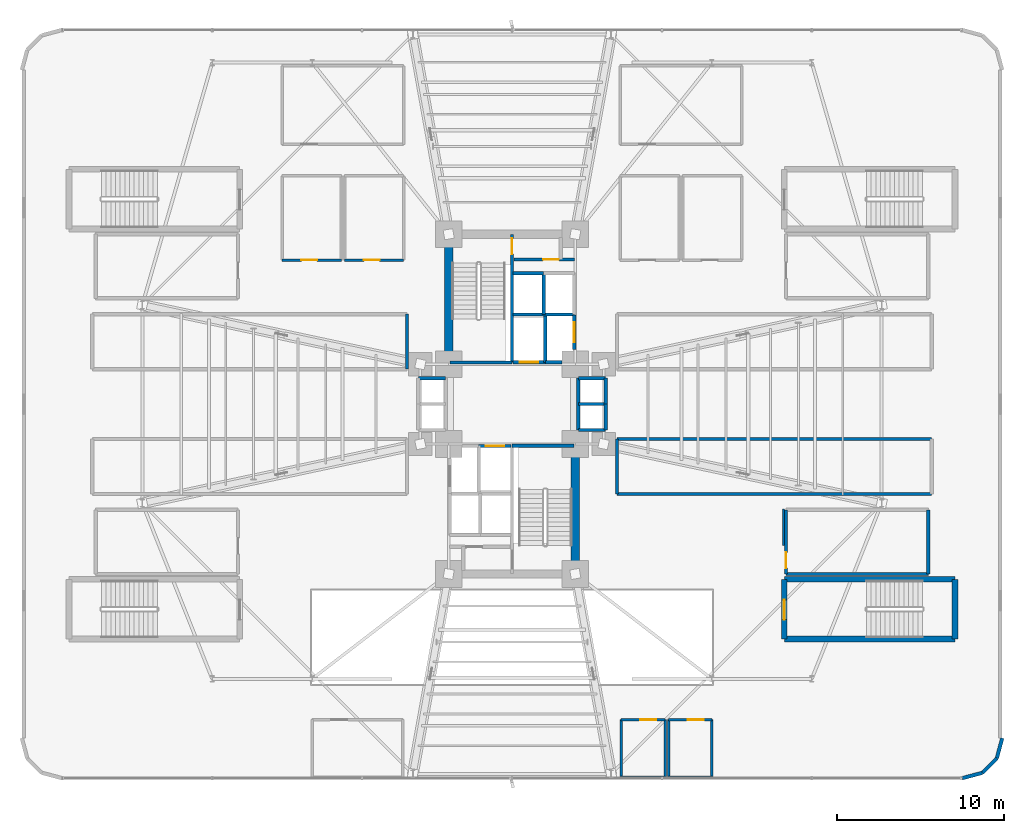
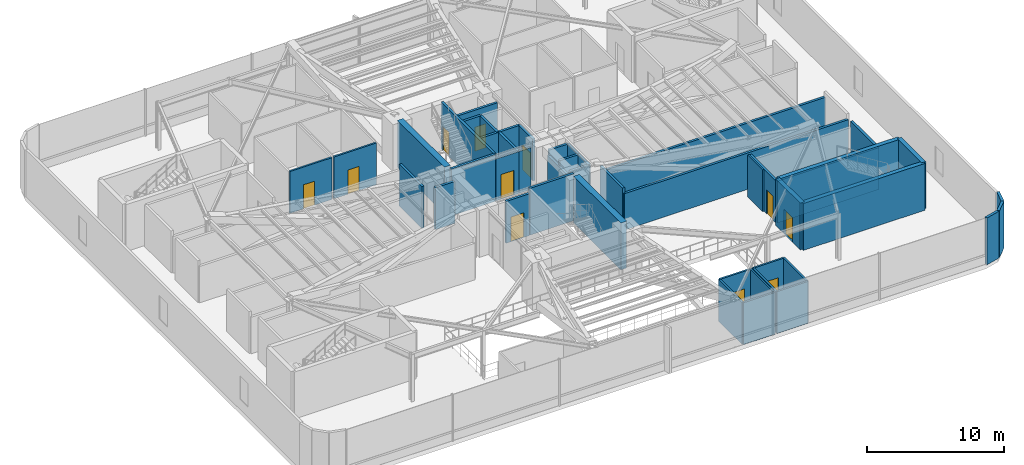
# One storey, part 25 of 32: 46 walls, 11 doors, 11 openings.
"""IFC4 building model written with IfcOpenShell, lengths in metres."""

from ifc_helpers import new_model, si_unit, direction, frame, frame_2d, origin, origin_2d, place, context, subcontext, project, spatial, rectangle, extrude, source, transform, mapped, material, layer, layer_set, type_object, element, fill, save


model = new_model("IFC4")

# Units and contexts
model_context = context("Model", 3, precision=1e-05, world=origin(), true_north=direction((0.0, 1.0)))
body_context = subcontext(model_context, "Body", "Model", "MODEL_VIEW")
ifc_project = project(units=[si_unit("LENGTHUNIT", "METRE"), si_unit("AREAUNIT", "SQUARE_METRE"), si_unit("VOLUMEUNIT", "CUBIC_METRE"), si_unit("PLANEANGLEUNIT", "RADIAN"), si_unit("MASSUNIT", "GRAM", prefix="KILO")], contexts=[model_context])

# Site, building, storey
site_placement = place(None, origin())
site = spatial("IfcSite", under=ifc_project, at=site_placement, CompositionType="ELEMENT")
building_placement = place(site_placement, origin())
building = spatial("IfcBuilding", under=site, at=building_placement, Name="Sahyath Konkavel Grand Hotel", CompositionType="ELEMENT")
storey_placement = place(building_placement, frame((0.0, 0.0, 14.10009765625)))
storey = spatial("IfcBuildingStorey", under=building, at=storey_placement, Name="L03", CompositionType="ELEMENT", Elevation=14.10009765625)

# Walls
ifc_material_1 = material(Name="Concrete C40/50", Category="concrete")
ifc_layer_1 = layer(ifc_material_1, 0.35009765625)
ifc_layer_set_1 = layer_set([ifc_layer_1], Name="Concrete C40/50")
wall_type_1 = type_object("IfcWallType", Name="CWALL-350", PredefinedType="SHEAR", material=ifc_layer_set_1)
for number, where, z_axis, x_axis, name in (
    (1, (16.35009765625, -10.52001953125, 0.0), (0.0, 0.0, 1.0), (1.0, 0.0, 0.0), "L03 Partition ST-P4-N"),
    (2, (16.35009765625, -14.10009765625, 0.0), (0.0, 0.0, 1.0), (1.0, 0.0, 0.0), "L03 Partition ST-P4-S"),
):
    element("IfcWall", number, at=place(storey_placement, frame(where, z_axis=z_axis, x_axis=x_axis)), inside=storey, type_object=wall_type_1, Name=name, PredefinedType="SHEAR", context=body_context, shape_type="SweptSolid", body=[
        extrude(rectangle(XDim=10.25, YDim=0.35009765625, at=frame_2d((5.125, 0.0))), origin(), (0.0, 0.0, 1.0), 4.179931640625),
    ])

# Wall, opening, door
wall_1_placement = place(storey_placement, frame((16.35009765625, -14.10009765625, 0.0), z_axis=(0.0, 0.0, 1.0), x_axis=(0.0, 1.0, 0.0)))
wall_1 = element("IfcWall", 3, at=wall_1_placement, inside=storey, type_object=wall_type_1, Name="L03 Partition ST-P4-W", PredefinedType="SHEAR", context=body_context, shape_type="SweptSolid", body=[
    extrude(rectangle(XDim=3.580078125, YDim=0.35009765625, at=frame_2d((1.7900390625, 0.0))), origin(), (0.0, 0.0, 1.0), 4.179931640625),
])
opening_1_placement = place(wall_1_placement, frame((1.14990234375, 0.0, 0.0)))
opening_1 = element("IfcOpeningElement", 4, at=opening_1_placement, cuts=wall_1, Name="Opening D-F12A", PredefinedType="OPENING", context=body_context, shape_type="SweptSolid", body=[
    extrude(rectangle(XDim=1.199951171875, YDim=2.199951171875, at=frame_2d((0.60009765625, 1.10009765625))), frame((0.0, 0.18505859375, 0.0), z_axis=(0.0, -1.0, 0.0), x_axis=(1.0, 0.0, 0.0)), (0.0, 0.0, 1.0), 0.3701171875),
])
ifc_material_2 = material(Name="Steel E350 Fire Door", Category="steel")
door_type_1 = type_object("IfcDoorType", Name="DR-FD120-1200", OperationType="NOTDEFINED", PredefinedType="DOOR", material=ifc_material_2)
shared_shape_1 = source(origin(), body_context, "Body", "SweptSolid", [
    extrude(rectangle(XDim=1.199951171875, YDim=0.050048828125, at=origin_2d()), origin(), (0.0, 0.0, 1.0), 2.199951171875),
])
door_1_placement = place(opening_1_placement, frame((0.60009765625, 0.0, 0.0)))
door_1 = element("IfcDoor", 5, at=door_1_placement, inside=storey, type_object=door_type_1, Name="L03 ST-P4 Fire Door", OperationType="SINGLE_SWING_RIGHT", OverallHeight=2.199951171875, OverallWidth=1.199951171875, PredefinedType="DOOR", context=body_context, shape_type="MappedRepresentation", body=[
    mapped(shared_shape_1, transform((0.0, 0.0, 0.0), scale=1.0)),
])
fill(opening_1, door_1)

# Walls
wall_2_placement = place(storey_placement, frame((26.60009765625, -14.10009765625, 0.0), z_axis=(0.0, 0.0, 1.0), x_axis=(0.0, 1.0, 0.0)))
element("IfcWall", 6, at=wall_2_placement, inside=storey, type_object=wall_type_1, Name="L03 Partition ST-P4-E", PredefinedType="SHEAR", context=body_context, shape_type="SweptSolid", body=[
    extrude(rectangle(XDim=3.580078125, YDim=0.35009765625, at=frame_2d((1.7900390625, 0.0))), origin(), (0.0, 0.0, 1.0), 4.179931640625),
])
ifc_material_3 = material(Name="Concrete C70/85", Category="concrete")
ifc_layer_2 = layer(ifc_material_3, 0.5)
ifc_layer_set_2 = layer_set([ifc_layer_2], Name="Concrete C70/85")
wall_type_2 = type_object("IfcWallType", Name="CWALL-500", PredefinedType="SHEAR", material=ifc_layer_set_2)
for number, where, z_axis, x_axis, name in (
    (7, (-3.800048828125, 2.85009765625, 0.0), (0.0, 0.0, 1.0), (0.0, 1.0, 0.0), "L03 North Core Shear Wall W"),
    (8, (3.800048828125, -9.75, 0.0), (0.0, 0.0, 1.0), (0.0, 1.0, 0.0), "L03 South Core Shear Wall E"),
):
    element("IfcWall", number, at=place(storey_placement, frame(where, z_axis=z_axis, x_axis=x_axis)), inside=storey, type_object=wall_type_2, Name=name, PredefinedType="SHEAR", context=body_context, shape_type="SweptSolid", body=[
        extrude(rectangle(XDim=6.89990234375, YDim=0.5, at=frame_2d((3.449951171875, 0.0))), origin(), (0.0, 0.0, 1.0), 4.179931640625),
    ])
ifc_material_4 = material(Name="Warm Buff Sandstone Insulated Concrete C40/50", Category="masonry")
ifc_layer_3 = layer(ifc_material_4, 0.219970703125)
ifc_layer_set_3 = layer_set([ifc_layer_3], Name="Warm Buff Sandstone Insulated Concrete C40/50")
wall_type_3 = type_object("IfcWallType", Name="WLL-BALC-THRESH", PredefinedType="STANDARD", material=ifc_layer_set_3)
for number, where, z_axis, x_axis, name in (
    (9, (27.035888671875, -22.465087890625, 0.0), (0.0, 0.0, 1.0), (0.965937527666, 0.25877537102, 0.0), "L03 Rounded Podium Corner Sandstone Pier 0"),
    (10, (28.236083984375, -22.1435546875, 0.0), (0.0, 0.0, 1.0), (0.707008524149, 0.707205024573, 0.0), "L03 Rounded Podium Corner Sandstone Pier 1"),
):
    element("IfcWall", number, at=place(storey_placement, frame(where, z_axis=z_axis, x_axis=x_axis)), inside=storey, type_object=wall_type_3, Name=name, PredefinedType="STANDARD", context=body_context, shape_type="SweptSolid", body=[
        extrude(rectangle(XDim=1.242431640625, YDim=0.219970703125, at=frame_2d((0.62109375, 0.0))), origin(), (0.0, 0.0, 1.0), 4.179931640625),
    ])
wall_3_placement = place(storey_placement, frame((29.114501953125, -21.264892578125, 0.0), z_axis=(0.0, 0.0, 1.0), x_axis=(0.258824494443, 0.965924366126, 0.0)))
element("IfcWall", 11, at=wall_3_placement, inside=storey, type_object=wall_type_3, Name="L03 Rounded Podium Corner Sandstone Pier 2", PredefinedType="STANDARD", context=body_context, shape_type="SweptSolid", body=[
    extrude(rectangle(XDim=1.2421875, YDim=0.219970703125, at=frame_2d((0.62109375, 0.0))), origin(), (0.0, 0.0, 1.0), 4.179931640625),
])

# Wall, opening, door
ifc_layer_4 = layer(ifc_material_1, 0.199951171875)
ifc_layer_set_4 = layer_set([ifc_layer_4], Name="Concrete C40/50")
wall_type_4 = type_object("IfcWallType", Name="WLL-CORE-200", PredefinedType="SOLIDWALL", material=ifc_layer_set_4)
wall_4_placement = place(storey_placement, frame((0.0, 2.5, 0.0), z_axis=(0.0, 0.0, 1.0), x_axis=(0.0, 1.0, 0.0)))
wall_4 = element("IfcWall", 12, at=wall_4_placement, inside=storey, type_object=wall_type_4, Name="L03 Stair ST-1 Shaft Wall E", PredefinedType="SOLIDWALL", context=body_context, shape_type="SweptSolid", body=[
    extrude(rectangle(XDim=7.679931640625, YDim=0.199951171875, at=frame_2d((3.83984375, 0.0))), origin(), (0.0, 0.0, 1.0), 4.179931640625),
])
opening_2_placement = place(wall_4_placement, frame((6.5, 0.0, 0.0)))
opening_2 = element("IfcOpeningElement", 13, at=opening_2_placement, cuts=wall_4, Name="Opening D-F12C", PredefinedType="OPENING", context=body_context, shape_type="SweptSolid", body=[
    extrude(rectangle(XDim=0.949951171875, YDim=2.14990234375, at=frame_2d((0.47509765625, 1.074951171875))), frame((0.0, 0.10986328125, 0.0), z_axis=(0.0, -1.0, 0.0), x_axis=(1.0, 0.0, 0.0)), (0.0, 0.0, 1.0), 0.219970703125),
])
ifc_material_5 = material(Name="Steel E350 Plant Fire Door", Category="steel")
door_type_2 = type_object("IfcDoorType", Name="DR-FD120-950", OperationType="NOTDEFINED", PredefinedType="DOOR", material=ifc_material_5)
shared_shape_2 = source(origin(), body_context, "Body", "SweptSolid", [
    extrude(rectangle(XDim=0.949951171875, YDim=0.050048828125, at=origin_2d()), origin(), (0.0, 0.0, 1.0), 2.14990234375),
])
door_2_placement = place(opening_2_placement, frame((0.47509765625, 0.0, 0.0)))
door_2 = element("IfcDoor", 14, at=door_2_placement, inside=storey, type_object=door_type_2, Name="L03 Stair ST-1 Fire Door", OperationType="SINGLE_SWING_LEFT", OverallHeight=2.14990234375, OverallWidth=0.949951171875, PredefinedType="DOOR", context=body_context, shape_type="MappedRepresentation", body=[
    mapped(shared_shape_2, transform((0.0, 0.0, 0.0), scale=1.0)),
])
fill(opening_2, door_2)

# Walls
for number, where, z_axis, x_axis, name in (
    (15, (-3.719970703125, 2.5, 0.0), (0.0, 0.0, 1.0), (1.0, 0.0, 0.0), "L03 Stair ST-1 Shaft Wall S"),
    (16, (0.0, -2.5, 0.0), (0.0, 0.0, 1.0), (1.0, 0.0, 0.0), "L03 Stair ST-2 Shaft Wall N"),
):
    element("IfcWall", number, at=place(storey_placement, frame(where, z_axis=z_axis, x_axis=x_axis)), inside=storey, type_object=wall_type_4, Name=name, PredefinedType="SOLIDWALL", context=body_context, shape_type="SweptSolid", body=[
        extrude(rectangle(XDim=3.719970703125, YDim=0.199951171875, at=frame_2d((1.85986328125, 0.0))), origin(), (0.0, 0.0, 1.0), 4.179931640625),
    ])
wall_5_placement = place(storey_placement, frame((2.0, 2.5, 0.0), z_axis=(0.0, 0.0, 1.0), x_axis=(0.0, 1.0, 0.0)))
element("IfcWall", 17, at=wall_5_placement, inside=storey, type_object=wall_type_4, Name="L03 Partition SH-FFL1-E", PredefinedType="SOLIDWALL", context=body_context, shape_type="SweptSolid", body=[
    extrude(rectangle(XDim=2.780029296875, YDim=0.199951171875, at=frame_2d((1.39013671875, 0.0))), origin(), (0.0, 0.0, 1.0), 3.72998046875),
])

# Wall, opening, door
wall_6_placement = place(storey_placement, frame((0.050048828125, 2.52001953125, 0.0), z_axis=(0.0, 0.0, 1.0), x_axis=(1.0, 0.0, 0.0)))
wall_6 = element("IfcWall", 18, at=wall_6_placement, inside=storey, type_object=wall_type_4, Name="L03 Partition SH-FFL1-S", PredefinedType="SOLIDWALL", context=body_context, shape_type="SweptSolid", body=[
    extrude(rectangle(XDim=1.949951171875, YDim=0.199951171875, at=frame_2d((0.97509765625, 0.0))), origin(), (0.0, 0.0, 1.0), 3.72998046875),
])
opening_3_placement = place(wall_6_placement, frame((0.419921875, 0.0, 0.0)))
opening_3 = element("IfcOpeningElement", 19, at=opening_3_placement, cuts=wall_6, Name="Opening LD-11", PredefinedType="OPENING", context=body_context, shape_type="SweptSolid", body=[
    extrude(rectangle(XDim=1.10009765625, YDim=2.199951171875, at=frame_2d((0.550048828125, 1.10009765625))), frame((0.0, 0.10986328125, 0.0), z_axis=(0.0, -1.0, 0.0), x_axis=(1.0, 0.0, 0.0)), (0.0, 0.0, 1.0), 0.219970703125),
])
ifc_material_6 = material(Name="Bronze Lift Landing Door 1100")
door_type_3 = type_object("IfcDoorType", Name="DR-LIFT-1100", OperationType="DOUBLE_DOOR_SLIDING", PredefinedType="DOOR", material=ifc_material_6)
shared_shape_3 = source(origin(), body_context, "Body", "SweptSolid", [
    extrude(rectangle(XDim=1.10009765625, YDim=0.050048828125, at=origin_2d()), origin(), (0.0, 0.0, 1.0), 2.199951171875),
])
door_3_placement = place(opening_3_placement, frame((0.550048828125, 0.0, 0.0)))
door_3 = element("IfcDoor", 20, at=door_3_placement, inside=storey, type_object=door_type_3, Name="L03 Lift FFL-1 Landing Door", OperationType="DOUBLE_DOOR_SLIDING", OverallHeight=2.199951171875, OverallWidth=1.10009765625, PredefinedType="DOOR", context=body_context, shape_type="MappedRepresentation", body=[
    mapped(shared_shape_3, transform((0.0, 0.0, 0.0), scale=1.0)),
])
fill(opening_3, door_3)

wall_7_placement = place(storey_placement, frame((-2.0, -2.52001953125, 0.0), z_axis=(0.0, 0.0, 1.0), x_axis=(1.0, 0.0, 0.0)))
wall_7 = element("IfcWall", 21, at=wall_7_placement, inside=storey, type_object=wall_type_4, Name="L03 Partition SH-FFL2-N", PredefinedType="SOLIDWALL", context=body_context, shape_type="SweptSolid", body=[
    extrude(rectangle(XDim=1.949951171875, YDim=0.199951171875, at=frame_2d((0.97509765625, 0.0))), origin(), (0.0, 0.0, 1.0), 3.72998046875),
])
opening_4_placement = place(wall_7_placement, frame((0.419921875, 0.0, 0.0)))
opening_4 = element("IfcOpeningElement", 22, at=opening_4_placement, cuts=wall_7, Name="Opening LD-11", PredefinedType="OPENING", context=body_context, shape_type="SweptSolid", body=[
    extrude(rectangle(XDim=1.10009765625, YDim=2.199951171875, at=frame_2d((0.550048828125, 1.10009765625))), frame((0.0, 0.10986328125, 0.0), z_axis=(0.0, -1.0, 0.0), x_axis=(1.0, 0.0, 0.0)), (0.0, 0.0, 1.0), 0.219970703125),
])
door_4_placement = place(opening_4_placement, frame((0.550048828125, 0.0, 0.0)))
door_4 = element("IfcDoor", 23, at=door_4_placement, inside=storey, type_object=door_type_3, Name="L03 Lift FFL-2 Landing Door", OperationType="DOUBLE_DOOR_SLIDING", OverallHeight=2.199951171875, OverallWidth=1.10009765625, PredefinedType="DOOR", context=body_context, shape_type="MappedRepresentation", body=[
    mapped(shared_shape_3, transform((0.0, 0.0, 0.0), scale=1.0)),
])
fill(opening_4, door_4)

# Wall
wall_8_placement = place(storey_placement, frame((2.0, 2.52001953125, 0.0), z_axis=(0.0, 0.0, 1.0), x_axis=(1.0, 0.0, 0.0)))
element("IfcWall", 24, at=wall_8_placement, inside=storey, type_object=wall_type_4, Name="L03 Partition SH-SVL1-S", PredefinedType="SOLIDWALL", context=body_context, shape_type="SweptSolid", body=[
    extrude(rectangle(XDim=1.0, YDim=0.199951171875, at=frame_2d((0.5, 0.0))), origin(), (0.0, 0.0, 1.0), 3.72998046875),
])

# Wall, opening, door
wall_9_placement = place(storey_placement, frame((3.739990234375, 3.280029296875, 0.0), z_axis=(0.0, 0.0, 1.0), x_axis=(0.0, 1.0, 0.0)))
wall_9 = element("IfcWall", 25, at=wall_9_placement, inside=storey, type_object=wall_type_4, Name="L03 Partition SH-SVL1-E", PredefinedType="SOLIDWALL", context=body_context, shape_type="SweptSolid", body=[
    extrude(rectangle(XDim=2.080078125, YDim=0.199951171875, at=frame_2d((1.0400390625, 0.0))), origin(), (0.0, 0.0, 1.0), 3.72998046875),
])
opening_5_placement = place(wall_9_placement, frame((0.43994140625, 0.0, 0.0)))
opening_5 = element("IfcOpeningElement", 26, at=opening_5_placement, cuts=wall_9, Name="Opening LD-12", PredefinedType="OPENING", context=body_context, shape_type="SweptSolid", body=[
    extrude(rectangle(XDim=1.199951171875, YDim=2.199951171875, at=frame_2d((0.60009765625, 1.10009765625))), frame((0.0, 0.10986328125, 0.0), z_axis=(0.0, -1.0, 0.0), x_axis=(1.0, 0.0, 0.0)), (0.0, 0.0, 1.0), 0.219970703125),
])
ifc_material_7 = material(Name="Stainless Steel Lift Landing Door 1200", Category="steel")
door_type_4 = type_object("IfcDoorType", Name="DR-LIFT-1200", OperationType="DOUBLE_DOOR_SLIDING", PredefinedType="DOOR", material=ifc_material_7)
door_5_placement = place(opening_5_placement, frame((0.60009765625, 0.0, 0.0)))
door_5 = element("IfcDoor", 27, at=door_5_placement, inside=storey, type_object=door_type_4, Name="L03 Service Lift SVL-1 Landing Door", OperationType="DOUBLE_DOOR_SLIDING", OverallHeight=2.199951171875, OverallWidth=1.199951171875, PredefinedType="DOOR", context=body_context, shape_type="MappedRepresentation", body=[
    mapped(shared_shape_1, transform((0.0, 0.0, 0.0), scale=1.0)),
])
fill(opening_5, door_5)

# Walls
wall_10_placement = place(storey_placement, frame((0.050048828125, 5.3798828125, 0.0), z_axis=(0.0, 0.0, 1.0), x_axis=(1.0, 0.0, 0.0)))
element("IfcWall", 28, at=wall_10_placement, inside=storey, type_object=wall_type_4, Name="L03 Partition SH-PL12-S", PredefinedType="SOLIDWALL", context=body_context, shape_type="SweptSolid", body=[
    extrude(rectangle(XDim=3.68994140625, YDim=0.199951171875, at=frame_2d((1.844970703125, 0.0))), origin(), (0.0, 0.0, 1.0), 3.72998046875),
])
wall_11_placement = place(storey_placement, frame((1.89990234375, 5.3798828125, 0.0), z_axis=(0.0, 0.0, 1.0), x_axis=(0.0, 1.0, 0.0)))
element("IfcWall", 29, at=wall_11_placement, inside=storey, type_object=wall_type_4, Name="L03 Partition SH-PL12-M", PredefinedType="SOLIDWALL", context=body_context, shape_type="SweptSolid", body=[
    extrude(rectangle(XDim=2.480224609375, YDim=0.199951171875, at=frame_2d((1.240234375, 0.0))), origin(), (0.0, 0.0, 1.0), 3.72998046875),
])
wall_12_placement = place(storey_placement, frame((0.050048828125, 7.860107421875, 0.0), z_axis=(0.0, 0.0, 1.0), x_axis=(1.0, 0.0, 0.0)))
element("IfcWall", 30, at=wall_12_placement, inside=storey, type_object=wall_type_4, Name="L03 Partition SH-PL1-N", PredefinedType="SOLIDWALL", context=body_context, shape_type="SweptSolid", body=[
    extrude(rectangle(XDim=1.849853515625, YDim=0.199951171875, at=frame_2d((0.9248046875, 0.0))), origin(), (0.0, 0.0, 1.0), 3.72998046875),
])
wall_13_placement = place(storey_placement, frame((3.97998046875, -1.56005859375, 0.0), z_axis=(0.0, 0.0, 1.0), x_axis=(0.0, 1.0, 0.0)))
element("IfcWall", 31, at=wall_13_placement, inside=storey, type_object=wall_type_4, Name="L03 Partition SH-PL56-W", PredefinedType="SOLIDWALL", context=body_context, shape_type="SweptSolid", body=[
    extrude(rectangle(XDim=3.1201171875, YDim=0.199951171875, at=frame_2d((1.56005859375, 0.0))), origin(), (0.0, 0.0, 1.0), 3.25),
])
for number, where, z_axis, x_axis, name in (
    (32, (3.97998046875, 1.56005859375, 0.0), (0.0, 0.0, 1.0), (1.0, 0.0, 0.0), "L03 Partition SH-PL56-N"),
    (33, (3.97998046875, -1.56005859375, 0.0), (0.0, 0.0, 1.0), (1.0, 0.0, 0.0), "L03 Partition SH-PL56-S"),
    (34, (3.97998046875, 0.0, 0.0), (0.0, 0.0, 1.0), (1.0, 0.0, 0.0), "L03 Partition SH-PL56-M"),
):
    element("IfcWall", number, at=place(storey_placement, frame(where, z_axis=z_axis, x_axis=x_axis)), inside=storey, type_object=wall_type_4, Name=name, PredefinedType="SOLIDWALL", context=body_context, shape_type="SweptSolid", body=[
        extrude(rectangle(XDim=1.64013671875, YDim=0.199951171875, at=frame_2d((0.820068359375, 0.0))), origin(), (0.0, 0.0, 1.0), 3.72998046875),
    ])
for number, where, z_axis, x_axis, name in (
    (35, (5.6201171875, 0.0, 0.0), (0.0, 0.0, 1.0), (0.0, 1.0, 0.0), "L03 Partition SH-PL5-E"),
    (36, (5.6201171875, -1.56005859375, 0.0), (0.0, 0.0, 1.0), (0.0, 1.0, 0.0), "L03 Partition SH-PL6-E"),
):
    element("IfcWall", number, at=place(storey_placement, frame(where, z_axis=z_axis, x_axis=x_axis)), inside=storey, type_object=wall_type_4, Name=name, PredefinedType="SOLIDWALL", context=body_context, shape_type="SweptSolid", body=[
        extrude(rectangle(XDim=1.56005859375, YDim=0.199951171875, at=frame_2d((0.780029296875, 0.0))), origin(), (0.0, 0.0, 1.0), 3.72998046875),
    ])
wall_14_placement = place(storey_placement, frame((-5.6201171875, 1.56005859375, 0.0), z_axis=(0.0, 0.0, 1.0), x_axis=(1.0, 0.0, 0.0)))
element("IfcWall", 37, at=wall_14_placement, inside=storey, type_object=wall_type_4, Name="L03 Partition SH-SL12-N", PredefinedType="SOLIDWALL", context=body_context, shape_type="SweptSolid", body=[
    extrude(rectangle(XDim=1.64013671875, YDim=0.199951171875, at=frame_2d((0.820068359375, 0.0))), origin(), (0.0, 0.0, 1.0), 3.72998046875),
])

# Wall, opening, door
wall_15_placement = place(storey_placement, frame((0.1201171875, 8.679931640625, 0.0), z_axis=(0.0, 0.0, 1.0), x_axis=(1.0, 0.0, 0.0)))
wall_15 = element("IfcWall", 38, at=wall_15_placement, inside=storey, type_object=wall_type_4, Name="L03 North FF Lobby Separation Wall", PredefinedType="SOLIDWALL", context=body_context, shape_type="SweptSolid", body=[
    extrude(rectangle(XDim=3.619873046875, YDim=0.199951171875, at=frame_2d((1.81005859375, 0.0))), origin(), (0.0, 0.0, 1.0), 3.72998046875),
])
opening_6_placement = place(wall_15_placement, frame((1.75, 0.0, 0.0)))
opening_6 = element("IfcOpeningElement", 39, at=opening_6_placement, cuts=wall_15, Name="Opening D-F12C", PredefinedType="OPENING", context=body_context, shape_type="SweptSolid", body=[
    extrude(rectangle(XDim=0.949951171875, YDim=2.14990234375, at=frame_2d((0.47509765625, 1.074951171875))), frame((0.0, 0.10986328125, 0.0), z_axis=(0.0, -1.0, 0.0), x_axis=(1.0, 0.0, 0.0)), (0.0, 0.0, 1.0), 0.219970703125),
])
door_6_placement = place(opening_6_placement, frame((0.47509765625, 0.0, 0.0)))
door_6 = element("IfcDoor", 40, at=door_6_placement, inside=storey, type_object=door_type_2, Name="L03 North Firefighting Lobby Door", OperationType="SINGLE_SWING_RIGHT", OverallHeight=2.14990234375, OverallWidth=0.949951171875, PredefinedType="DOOR", context=body_context, shape_type="MappedRepresentation", body=[
    mapped(shared_shape_2, transform((0.0, 0.0, 0.0), scale=1.0)),
])
fill(opening_6, door_6)

# Walls
wall_16_placement = place(storey_placement, frame((-6.300048828125, 2.10009765625, 0.0), z_axis=(0.0, 0.0, 1.0), x_axis=(0.0, 1.0, 0.0)))
element("IfcWall", 41, at=wall_16_placement, inside=storey, type_object=wall_type_4, Name="L03 Partition L03-TPL-NW-E", PredefinedType="SOLIDWALL", context=body_context, shape_type="SweptSolid", body=[
    extrude(rectangle(XDim=3.2998046875, YDim=0.199951171875, at=frame_2d((1.64990234375, 0.0))), origin(), (0.0, 0.0, 1.0), 3.72998046875),
])
for number, where, z_axis, x_axis, name in (
    (42, (6.300048828125, -2.10009765625, 0.0), (0.0, 0.0, 1.0), (1.0, 0.0, 0.0), "L03 Partition L03-TPL-SE-N"),
    (43, (6.300048828125, -5.39990234375, 0.0), (0.0, 0.0, 1.0), (1.0, 0.0, 0.0), "L03 Partition L03-TPL-SE-S"),
):
    element("IfcWall", number, at=place(storey_placement, frame(where, z_axis=z_axis, x_axis=x_axis)), inside=storey, type_object=wall_type_4, Name=name, PredefinedType="SOLIDWALL", context=body_context, shape_type="SweptSolid", body=[
        extrude(rectangle(XDim=18.89990234375, YDim=0.199951171875, at=frame_2d((9.449951171875, 0.0))), origin(), (0.0, 0.0, 1.0), 3.25),
    ])
wall_17_placement = place(storey_placement, frame((6.300048828125, -5.39990234375, 0.0), z_axis=(0.0, 0.0, 1.0), x_axis=(0.0, 1.0, 0.0)))
element("IfcWall", 44, at=wall_17_placement, inside=storey, type_object=wall_type_4, Name="L03 Partition L03-TPL-SE-W", PredefinedType="SOLIDWALL", context=body_context, shape_type="SweptSolid", body=[
    extrude(rectangle(XDim=3.2998046875, YDim=0.199951171875, at=frame_2d((1.64990234375, 0.0))), origin(), (0.0, 0.0, 1.0), 3.72998046875),
])
wall_18_placement = place(storey_placement, frame((16.449951171875, -10.199951171875, 0.0), z_axis=(0.0, 0.0, 1.0), x_axis=(1.0, 0.0, 0.0)))
element("IfcWall", 45, at=wall_18_placement, inside=storey, type_object=wall_type_4, Name="L03 Partition L03-SWG-E-S", PredefinedType="SOLIDWALL", context=body_context, shape_type="SweptSolid", body=[
    extrude(rectangle(XDim=8.550048828125, YDim=0.199951171875, at=frame_2d((4.27490234375, 0.0))), origin(), (0.0, 0.0, 1.0), 3.72998046875),
])

# Wall, opening, door
wall_19_placement = place(storey_placement, frame((16.449951171875, -10.199951171875, 0.0), z_axis=(0.0, 0.0, 1.0), x_axis=(0.0, 1.0, 0.0)))
wall_19 = element("IfcWall", 46, at=wall_19_placement, inside=storey, type_object=wall_type_4, Name="L03 Partition L03-SWG-E-W", PredefinedType="SOLIDWALL", context=body_context, shape_type="SweptSolid", body=[
    extrude(rectangle(XDim=3.849853515625, YDim=0.199951171875, at=frame_2d((1.9248046875, 0.0))), origin(), (0.0, 0.0, 1.0), 3.72998046875),
])
opening_7_placement = place(wall_19_placement, frame((0.35009765625, 0.0, 0.0)))
opening_7 = element("IfcOpeningElement", 47, at=opening_7_placement, cuts=wall_19, Name="Opening D-F12C", PredefinedType="OPENING", context=body_context, shape_type="SweptSolid", body=[
    extrude(rectangle(XDim=0.949951171875, YDim=2.14990234375, at=frame_2d((0.47509765625, 1.074951171875))), frame((0.0, 0.10986328125, 0.0), z_axis=(0.0, -1.0, 0.0), x_axis=(1.0, 0.0, 0.0)), (0.0, 0.0, 1.0), 0.219970703125),
])
door_7_placement = place(opening_7_placement, frame((0.47509765625, 0.0, 0.0)))
door_7 = element("IfcDoor", 48, at=door_7_placement, inside=storey, type_object=door_type_2, Name="L03 Door L03-SWG-E-D", OperationType="SINGLE_SWING_RIGHT", OverallHeight=2.14990234375, OverallWidth=0.949951171875, PredefinedType="DOOR", context=body_context, shape_type="MappedRepresentation", body=[
    mapped(shared_shape_2, transform((0.0, 0.0, 0.0), scale=1.0)),
])
fill(opening_7, door_7)

# Walls
wall_20_placement = place(storey_placement, frame((25.0, -10.199951171875, 0.0), z_axis=(0.0, 0.0, 1.0), x_axis=(0.0, 1.0, 0.0)))
element("IfcWall", 49, at=wall_20_placement, inside=storey, type_object=wall_type_4, Name="L03 Partition L03-SWG-E-E", PredefinedType="SOLIDWALL", context=body_context, shape_type="SweptSolid", body=[
    extrude(rectangle(XDim=3.849853515625, YDim=0.199951171875, at=frame_2d((1.9248046875, 0.0))), origin(), (0.0, 0.0, 1.0), 3.72998046875),
])
ifc_material_8 = material(Name="Acoustic Timber Veneer Operable Partition", Category="wood")
ifc_layer_5 = layer(ifc_material_8, 0.1201171875)
ifc_layer_set_5 = layer_set([ifc_layer_5], Name="Acoustic Timber Veneer Operable Partition")
wall_type_5 = type_object("IfcWallType", Name="WLL-MOVABLE-120", PredefinedType="MOVABLE", material=ifc_layer_set_5)
wall_21_placement = place(storey_placement, frame((16.300048828125, -8.5, 0.0), z_axis=(0.0, 0.0, 1.0), x_axis=(0.0, 1.0, 0.0)))
element("IfcWall", 50, at=wall_21_placement, inside=storey, type_object=wall_type_5, Name="L03 Partition L03-MOV-3", PredefinedType="MOVABLE", context=body_context, shape_type="SweptSolid", body=[
    extrude(rectangle(XDim=2.199951171875, YDim=0.1201171875, at=frame_2d((1.10009765625, 0.0))), origin(), (0.0, 0.0, 1.0), 3.72998046875),
])

# Wall, opening, door
ifc_material_9 = material(Name="Fire-Rated Gypsum Plasterboard Partition")
ifc_layer_6 = layer(ifc_material_9, 0.14990234375)
ifc_layer_set_6 = layer_set([ifc_layer_6], Name="Fire-Rated Gypsum Plasterboard Partition")
wall_type_6 = type_object("IfcWallType", Name="WLL-PART-150", PredefinedType="PARTITIONING", material=ifc_layer_set_6)
wall_22_placement = place(storey_placement, frame((-13.800048828125, 8.64990234375, 0.0), z_axis=(0.0, 0.0, 1.0), x_axis=(1.0, 0.0, 0.0)))
wall_22 = element("IfcWall", 51, at=wall_22_placement, inside=storey, type_object=wall_type_6, Name="L03 Partition L03-CNF-1-S", PredefinedType="PARTITIONING", context=body_context, shape_type="SweptSolid", body=[
    extrude(rectangle(XDim=3.550048828125, YDim=0.14990234375, at=frame_2d((1.77490234375, 0.0))), origin(), (0.0, 0.0, 1.0), 3.72998046875),
])
opening_8_placement = place(wall_22_placement, frame((1.14990234375, 0.0, 0.0)))
opening_8 = element("IfcOpeningElement", 52, at=opening_8_placement, cuts=wall_22, Name="Opening D-F06B", PredefinedType="OPENING", context=body_context, shape_type="SweptSolid", body=[
    extrude(rectangle(XDim=0.949951171875, YDim=2.14990234375, at=frame_2d((0.47509765625, 1.074951171875))), frame((0.0, 0.0849609375, 0.0), z_axis=(0.0, -1.0, 0.0), x_axis=(1.0, 0.0, 0.0)), (0.0, 0.0, 1.0), 0.169921875),
])
ifc_material_10 = material(Name="Teak Veneer Fire-Rated Guest Entrance Door")
door_type_5 = type_object("IfcDoorType", Name="DR-FD60-950", OperationType="NOTDEFINED", PredefinedType="DOOR", material=ifc_material_10)
door_8_placement = place(opening_8_placement, frame((0.47509765625, 0.0, 0.0)))
door_8 = element("IfcDoor", 53, at=door_8_placement, inside=storey, type_object=door_type_5, Name="L03 Door L03-CNF-1-D", OperationType="SINGLE_SWING_LEFT", OverallHeight=2.14990234375, OverallWidth=0.949951171875, PredefinedType="DOOR", context=body_context, shape_type="MappedRepresentation", body=[
    mapped(shared_shape_2, transform((0.0, 0.0, 0.0), scale=1.0)),
])
fill(opening_8, door_8)

wall_23_placement = place(storey_placement, frame((-10.050048828125, 8.64990234375, 0.0), z_axis=(0.0, 0.0, 1.0), x_axis=(1.0, 0.0, 0.0)))
wall_23 = element("IfcWall", 54, at=wall_23_placement, inside=storey, type_object=wall_type_6, Name="L03 Partition L03-CNF-2-S", PredefinedType="PARTITIONING", context=body_context, shape_type="SweptSolid", body=[
    extrude(rectangle(XDim=3.550048828125, YDim=0.14990234375, at=frame_2d((1.77490234375, 0.0))), origin(), (0.0, 0.0, 1.0), 3.72998046875),
])
opening_9_placement = place(wall_23_placement, frame((1.14990234375, 0.0, 0.0)))
opening_9 = element("IfcOpeningElement", 55, at=opening_9_placement, cuts=wall_23, Name="Opening D-F06B", PredefinedType="OPENING", context=body_context, shape_type="SweptSolid", body=[
    extrude(rectangle(XDim=0.949951171875, YDim=2.14990234375, at=frame_2d((0.47509765625, 1.074951171875))), frame((0.0, 0.0849609375, 0.0), z_axis=(0.0, -1.0, 0.0), x_axis=(1.0, 0.0, 0.0)), (0.0, 0.0, 1.0), 0.169921875),
])
door_9_placement = place(opening_9_placement, frame((0.47509765625, 0.0, 0.0)))
door_9 = element("IfcDoor", 56, at=door_9_placement, inside=storey, type_object=door_type_5, Name="L03 Door L03-CNF-2-D", OperationType="SINGLE_SWING_RIGHT", OverallHeight=2.14990234375, OverallWidth=0.949951171875, PredefinedType="DOOR", context=body_context, shape_type="MappedRepresentation", body=[
    mapped(shared_shape_2, transform((0.0, 0.0, 0.0), scale=1.0)),
])
fill(opening_9, door_9)

wall_24_placement = place(storey_placement, frame((6.550048828125, -18.949951171875, 0.0), z_axis=(0.0, 0.0, 1.0), x_axis=(1.0, 0.0, 0.0)))
wall_24 = element("IfcWall", 57, at=wall_24_placement, inside=storey, type_object=wall_type_6, Name="L03 Partition L03-AWC-N", PredefinedType="PARTITIONING", context=body_context, shape_type="SweptSolid", body=[
    extrude(rectangle(XDim=2.64990234375, YDim=0.14990234375, at=frame_2d((1.324951171875, 0.0))), origin(), (0.0, 0.0, 1.0), 3.72998046875),
])
opening_10_placement = place(wall_24_placement, frame((1.14990234375, 0.0, 0.0)))
opening_10 = element("IfcOpeningElement", 58, at=opening_10_placement, cuts=wall_24, Name="Opening D-AC95", PredefinedType="OPENING", context=body_context, shape_type="SweptSolid", body=[
    extrude(rectangle(XDim=0.949951171875, YDim=2.14990234375, at=frame_2d((0.47509765625, 1.074951171875))), frame((0.0, 0.0849609375, 0.0), z_axis=(0.0, -1.0, 0.0), x_axis=(1.0, 0.0, 0.0)), (0.0, 0.0, 1.0), 0.169921875),
])
ifc_material_11 = material(Name="Accessible Washroom Timber Door", Category="wood")
door_type_6 = type_object("IfcDoorType", Name="DR-ACC-950", OperationType="NOTDEFINED", PredefinedType="DOOR", material=ifc_material_11)
door_10_placement = place(opening_10_placement, frame((0.47509765625, 0.0, 0.0)))
door_10 = element("IfcDoor", 59, at=door_10_placement, inside=storey, type_object=door_type_6, Name="L03 Door L03-AWC-D", OperationType="SINGLE_SWING_RIGHT", OverallHeight=2.14990234375, OverallWidth=0.949951171875, PredefinedType="DOOR", context=body_context, shape_type="MappedRepresentation", body=[
    mapped(shared_shape_2, transform((0.0, 0.0, 0.0), scale=1.0)),
])
fill(opening_10, door_10)

# Walls
wall_25_placement = place(storey_placement, frame((6.550048828125, -22.39990234375, 0.0), z_axis=(0.0, 0.0, 1.0), x_axis=(1.0, 0.0, 0.0)))
element("IfcWall", 60, at=wall_25_placement, inside=storey, type_object=wall_type_6, Name="L03 Partition L03-AWC-S", PredefinedType="PARTITIONING", context=body_context, shape_type="SweptSolid", body=[
    extrude(rectangle(XDim=2.64990234375, YDim=0.14990234375, at=frame_2d((1.324951171875, 0.0))), origin(), (0.0, 0.0, 1.0), 3.72998046875),
])
for number, where, z_axis, x_axis, name in (
    (61, (6.550048828125, -22.39990234375, 0.0), (0.0, 0.0, 1.0), (0.0, 1.0, 0.0), "L03 Partition L03-AWC-W"),
    (62, (9.199951171875, -22.39990234375, 0.0), (0.0, 0.0, 1.0), (0.0, 1.0, 0.0), "L03 Partition L03-AWC-E"),
):
    element("IfcWall", number, at=place(storey_placement, frame(where, z_axis=z_axis, x_axis=x_axis)), inside=storey, type_object=wall_type_6, Name=name, PredefinedType="PARTITIONING", context=body_context, shape_type="SweptSolid", body=[
        extrude(rectangle(XDim=3.449951171875, YDim=0.14990234375, at=frame_2d((1.72509765625, 0.0))), origin(), (0.0, 0.0, 1.0), 3.72998046875),
    ])

# Wall, opening, door
wall_26_placement = place(storey_placement, frame((9.39990234375, -18.949951171875, 0.0), z_axis=(0.0, 0.0, 1.0), x_axis=(1.0, 0.0, 0.0)))
wall_26 = element("IfcWall", 63, at=wall_26_placement, inside=storey, type_object=wall_type_6, Name="L03 Partition L03-PWC-N", PredefinedType="PARTITIONING", context=body_context, shape_type="SweptSolid", body=[
    extrude(rectangle(XDim=2.60009765625, YDim=0.14990234375, at=frame_2d((1.300048828125, 0.0))), origin(), (0.0, 0.0, 1.0), 3.72998046875),
])
opening_11_placement = place(wall_26_placement, frame((1.14990234375, 0.0, 0.0)))
opening_11 = element("IfcOpeningElement", 64, at=opening_11_placement, cuts=wall_26, Name="Opening D-F06B", PredefinedType="OPENING", context=body_context, shape_type="SweptSolid", body=[
    extrude(rectangle(XDim=0.949951171875, YDim=2.14990234375, at=frame_2d((0.47509765625, 1.074951171875))), frame((0.0, 0.0849609375, 0.0), z_axis=(0.0, -1.0, 0.0), x_axis=(1.0, 0.0, 0.0)), (0.0, 0.0, 1.0), 0.169921875),
])
door_11_placement = place(opening_11_placement, frame((0.47509765625, 0.0, 0.0)))
door_11 = element("IfcDoor", 65, at=door_11_placement, inside=storey, type_object=door_type_5, Name="L03 Door L03-PWC-D", OperationType="SINGLE_SWING_LEFT", OverallHeight=2.14990234375, OverallWidth=0.949951171875, PredefinedType="DOOR", context=body_context, shape_type="MappedRepresentation", body=[
    mapped(shared_shape_2, transform((0.0, 0.0, 0.0), scale=1.0)),
])
fill(opening_11, door_11)

# Walls
wall_27_placement = place(storey_placement, frame((9.39990234375, -22.39990234375, 0.0), z_axis=(0.0, 0.0, 1.0), x_axis=(1.0, 0.0, 0.0)))
element("IfcWall", 66, at=wall_27_placement, inside=storey, type_object=wall_type_6, Name="L03 Partition L03-PWC-S", PredefinedType="PARTITIONING", context=body_context, shape_type="SweptSolid", body=[
    extrude(rectangle(XDim=2.60009765625, YDim=0.14990234375, at=frame_2d((1.300048828125, 0.0))), origin(), (0.0, 0.0, 1.0), 3.72998046875),
])
for number, where, z_axis, x_axis, name in (
    (67, (9.39990234375, -22.39990234375, 0.0), (0.0, 0.0, 1.0), (0.0, 1.0, 0.0), "L03 Partition L03-PWC-W"),
    (68, (12.0, -22.39990234375, 0.0), (0.0, 0.0, 1.0), (0.0, 1.0, 0.0), "L03 Partition L03-PWC-E"),
):
    element("IfcWall", number, at=place(storey_placement, frame(where, z_axis=z_axis, x_axis=x_axis)), inside=storey, type_object=wall_type_6, Name=name, PredefinedType="PARTITIONING", context=body_context, shape_type="SweptSolid", body=[
        extrude(rectangle(XDim=3.449951171875, YDim=0.14990234375, at=frame_2d((1.72509765625, 0.0))), origin(), (0.0, 0.0, 1.0), 3.72998046875),
    ])

save(model, "model.ifc")
